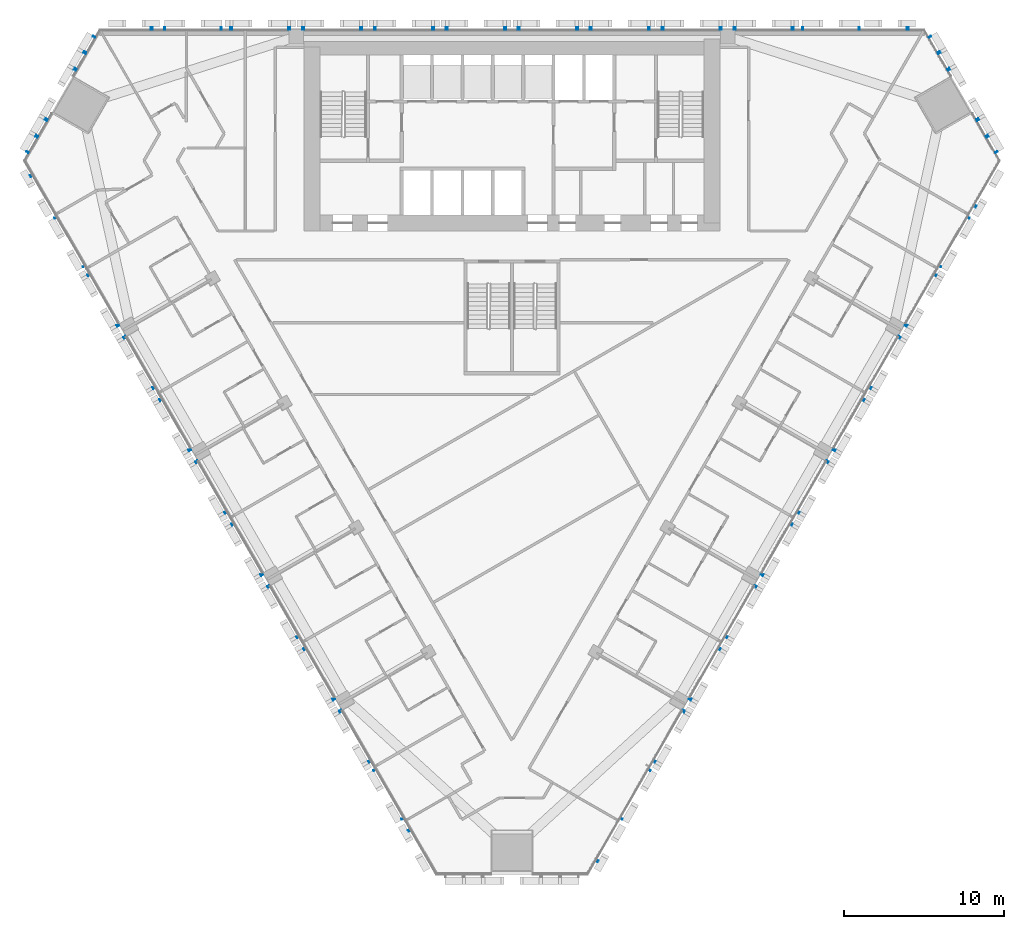
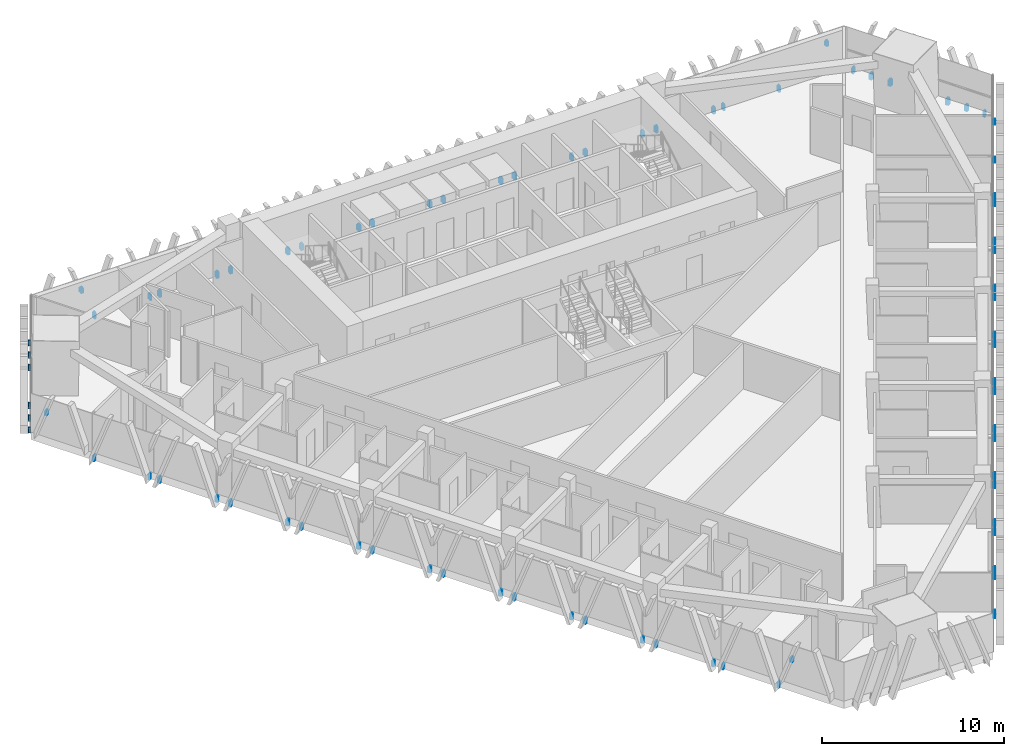
# One storey, part 14 of 17: 5 discrete accessories.
"""IFC4 building model written with IfcOpenShell, lengths in metres."""

from ifc_helpers import new_model, si_unit, direction, frame, origin, place, context, subcontext, project, spatial, polyline, outline, extrude, source, transform, mapped, material, type_object, element, save


model = new_model("IFC4")

# Units and contexts
model_context = context("Model", 3, precision=1e-05, world=origin(), true_north=direction((0.0, 1.0)))
body_context = subcontext(model_context, "Body", "Model", "MODEL_VIEW")
ifc_project = project(units=[si_unit("LENGTHUNIT", "METRE"), si_unit("AREAUNIT", "SQUARE_METRE"), si_unit("VOLUMEUNIT", "CUBIC_METRE"), si_unit("PLANEANGLEUNIT", "RADIAN"), si_unit("MASSUNIT", "GRAM", prefix="KILO")], contexts=[model_context])

# Site, building, storey
site_placement = place(None, origin())
site = spatial("IfcSite", under=ifc_project, at=site_placement, CompositionType="ELEMENT")
building_placement = place(site_placement, origin())
building = spatial("IfcBuilding", under=site, at=building_placement, Name="Altiplano Prism Tower", CompositionType="ELEMENT")
storey_placement = place(building_placement, frame((0.0, 0.0, 52.199951171875)))
storey = spatial("IfcBuildingStorey", under=building, at=storey_placement, Name="L12", CompositionType="ELEMENT", Elevation=52.199951171875)

# Discrete accessories
ifc_material = material(Name="Stainless steel", Category="steel")
discrete_accessory_type = type_object("IfcDiscreteAccessoryType", Name="Stone fin fixing prongs", PredefinedType="USERDEFINED", material=ifc_material)
shared_shape_1 = source(origin(), body_context, "Body", "SweptSolid", [
    extrude(outline(polyline([(-1.16162109375, 2.07177734375), (-1.041748046875, 2.07177734375), (-1.041748046875, 2.37158203125), (-1.16162109375, 2.37158203125), (-1.16162109375, 2.07177734375)])), frame((0.0, 0.0, 0.0), z_axis=(0.0, -1.0, 0.0), x_axis=(1.0, 0.0, 0.0)), (0.0, 0.0, 1.0), 0.14990234375),
])
shared_shape_2 = source(origin(), body_context, "Body", "SweptSolid", [
    extrude(outline(polyline([(-1.7900390625, 0.06005859375), (-1.729248046875, 0.06005859375), (-1.729248046875, 0.43994140625), (-1.7900390625, 0.43994140625), (-1.7900390625, 0.06005859375)])), frame((0.0, 0.0, 0.0), z_axis=(0.0, -1.0, 0.0), x_axis=(1.0, 0.0, 0.0)), (0.0, 0.0, 1.0), 0.14990234375),
    extrude(outline(polyline([(1.729248046875, 0.06005859375), (1.7900390625, 0.06005859375), (1.7900390625, 0.43994140625), (1.729248046875, 0.43994140625), (1.729248046875, 0.06005859375)])), frame((0.0, 0.0, 0.0), z_axis=(0.0, -1.0, 0.0), x_axis=(1.0, 0.0, 0.0)), (0.0, 0.0, 1.0), 0.14990234375),
])
shared_shape_3 = source(origin(), body_context, "Body", "SweptSolid", [
    extrude(outline(polyline([(-1.87939453125, 0.06005859375), (-1.75927734375, 0.06005859375), (-1.75927734375, 0.43994140625), (-1.87939453125, 0.43994140625), (-1.87939453125, 0.06005859375)])), frame((0.0, 0.0, 0.0), z_axis=(0.0, -1.0, 0.0), x_axis=(1.0, 0.0, 0.0)), (0.0, 0.0, 1.0), 0.14990234375),
    extrude(outline(polyline([(1.75927734375, 0.06005859375), (1.87939453125, 0.06005859375), (1.87939453125, 0.43994140625), (1.75927734375, 0.43994140625), (1.75927734375, 0.06005859375)])), frame((0.0, 0.0, 0.0), z_axis=(0.0, -1.0, 0.0), x_axis=(1.0, 0.0, 0.0)), (0.0, 0.0, 1.0), 0.14990234375),
])
discrete_accessory_1_placement = place(storey_placement, origin())
element("IfcDiscreteAccessory", 1, at=discrete_accessory_1_placement, inside=storey, type_object=discrete_accessory_type, Name="Fin fixings L12 north face", ObjectType="BRACKET", PredefinedType="USERDEFINED", context=body_context, shape_type="MappedRepresentation", body=[
    mapped(shared_shape_1, transform((108.64404296875, 105.0, -0.5), x_axis=(-1.0, 0.0, 0.0), y_axis=(0.0, -1.0, 0.0), z_axis=(0.0, 0.0, 1.0))),
    mapped(shared_shape_2, transform((104.947998046875, 105.0, -0.5), x_axis=(-1.0, 0.0, 0.0), y_axis=(0.0, -1.0, 0.0), z_axis=(0.0, 0.0, 1.0))),
    mapped(shared_shape_3, transform((100.75, 105.0, -0.5), x_axis=(-1.0, 0.0, 0.0), y_axis=(0.0, -1.0, 0.0), z_axis=(0.0, 0.0, 1.0))),
    mapped(shared_shape_3, transform((96.25, 105.0, -0.5), x_axis=(-1.0, 0.0, 0.0), y_axis=(0.0, -1.0, 0.0), z_axis=(0.0, 0.0, 1.0))),
    mapped(shared_shape_3, transform((91.75, 105.0, -0.5), x_axis=(-1.0, 0.0, 0.0), y_axis=(0.0, -1.0, 0.0), z_axis=(0.0, 0.0, 1.0))),
    mapped(shared_shape_3, transform((87.25, 105.0, -0.5), x_axis=(-1.0, 0.0, 0.0), y_axis=(0.0, -1.0, 0.0), z_axis=(0.0, 0.0, 1.0))),
    mapped(shared_shape_3, transform((82.75, 105.0, -0.5), x_axis=(-1.0, 0.0, 0.0), y_axis=(0.0, -1.0, 0.0), z_axis=(0.0, 0.0, 1.0))),
    mapped(shared_shape_3, transform((78.25, 105.0, -0.5), x_axis=(-1.0, 0.0, 0.0), y_axis=(0.0, -1.0, 0.0), z_axis=(0.0, 0.0, 1.0))),
    mapped(shared_shape_3, transform((73.75, 105.0, -0.5), x_axis=(-1.0, 0.0, 0.0), y_axis=(0.0, -1.0, 0.0), z_axis=(0.0, 0.0, 1.0))),
    mapped(shared_shape_3, transform((69.25, 105.0, -0.5), x_axis=(-1.0, 0.0, 0.0), y_axis=(0.0, -1.0, 0.0), z_axis=(0.0, 0.0, 1.0))),
    mapped(shared_shape_2, transform((65.052001953125, 105.0, -0.5), x_axis=(-1.0, 0.0, 0.0), y_axis=(0.0, -1.0, 0.0), z_axis=(0.0, 0.0, 1.0))),
    mapped(shared_shape_1, transform((61.35595703125, 105.0, -0.5), x_axis=(-1.0, 0.0, 0.0), y_axis=(0.0, -1.0, 0.0), z_axis=(0.0, 0.0, 1.0))),
])
discrete_accessory_2_placement = place(storey_placement, origin())
element("IfcDiscreteAccessory", 2, at=discrete_accessory_2_placement, inside=storey, type_object=discrete_accessory_type, Name="Fin fixings L12 south-west face", ObjectType="BRACKET", PredefinedType="USERDEFINED", context=body_context, shape_type="MappedRepresentation", body=[
    mapped(shared_shape_1, transform((55.551513671875, 94.946044921875, -0.5), x_axis=(0.499999990992, -0.866025408985, 0.0), y_axis=(0.866025408985, 0.499999990992, 0.0), z_axis=(0.0, 0.0, 1.0))),
    mapped(shared_shape_2, transform((57.3994140625, 91.745361328125, -0.5), x_axis=(0.499999990992, -0.866025408985, 0.0), y_axis=(0.866025408985, 0.499999990992, 0.0), z_axis=(0.0, 0.0, 1.0))),
    mapped(shared_shape_3, transform((59.498291015625, 88.109619140625, -0.5), x_axis=(0.499999990992, -0.866025408985, 0.0), y_axis=(0.866025408985, 0.499999990992, 0.0), z_axis=(0.0, 0.0, 1.0))),
    mapped(shared_shape_3, transform((61.748291015625, 84.212646484375, -0.5), x_axis=(0.499999990992, -0.866025408985, 0.0), y_axis=(0.866025408985, 0.499999990992, 0.0), z_axis=(0.0, 0.0, 1.0))),
    mapped(shared_shape_3, transform((63.998291015625, 80.3154296875, -0.5), x_axis=(0.499999990992, -0.866025408985, 0.0), y_axis=(0.866025408985, 0.499999990992, 0.0), z_axis=(0.0, 0.0, 1.0))),
    mapped(shared_shape_3, transform((66.248291015625, 76.41845703125, -0.5), x_axis=(0.499999990992, -0.866025408985, 0.0), y_axis=(0.866025408985, 0.499999990992, 0.0), z_axis=(0.0, 0.0, 1.0))),
    mapped(shared_shape_3, transform((68.498291015625, 72.521240234375, -0.5), x_axis=(0.499999990992, -0.866025408985, 0.0), y_axis=(0.866025408985, 0.499999990992, 0.0), z_axis=(0.0, 0.0, 1.0))),
    mapped(shared_shape_3, transform((70.748291015625, 68.624267578125, -0.5), x_axis=(0.499999990992, -0.866025408985, 0.0), y_axis=(0.866025408985, 0.499999990992, 0.0), z_axis=(0.0, 0.0, 1.0))),
    mapped(shared_shape_3, transform((72.998291015625, 64.72705078125, -0.5), x_axis=(0.499999990992, -0.866025408985, 0.0), y_axis=(0.866025408985, 0.499999990992, 0.0), z_axis=(0.0, 0.0, 1.0))),
    mapped(shared_shape_3, transform((75.248291015625, 60.829833984375, -0.5), x_axis=(0.499999990992, -0.866025408985, 0.0), y_axis=(0.866025408985, 0.499999990992, 0.0), z_axis=(0.0, 0.0, 1.0))),
    mapped(shared_shape_2, transform((77.347412109375, 57.1943359375, -0.5), x_axis=(0.499999990992, -0.866025408985, 0.0), y_axis=(0.866025408985, 0.499999990992, 0.0), z_axis=(0.0, 0.0, 1.0))),
    mapped(shared_shape_1, transform((79.1953125, 53.993408203125, -0.5), x_axis=(0.499999990992, -0.866025408985, 0.0), y_axis=(0.866025408985, 0.499999990992, 0.0), z_axis=(0.0, 0.0, 1.0))),
])
discrete_accessory_3_placement = place(storey_placement, origin())
element("IfcDiscreteAccessory", 3, at=discrete_accessory_3_placement, inside=storey, type_object=discrete_accessory_type, Name="Fin fixings L12 south-east face", ObjectType="BRACKET", PredefinedType="USERDEFINED", context=body_context, shape_type="MappedRepresentation", body=[
    mapped(shared_shape_1, transform((90.8046875, 53.993408203125, -0.5), x_axis=(0.499999990992, 0.866025408985, 0.0), y_axis=(-0.866025408985, 0.499999990992, 0.0), z_axis=(0.0, 0.0, 1.0))),
    mapped(shared_shape_2, transform((92.652587890625, 57.1943359375, -0.5), x_axis=(0.499999990992, 0.866025408985, 0.0), y_axis=(-0.866025408985, 0.499999990992, 0.0), z_axis=(0.0, 0.0, 1.0))),
    mapped(shared_shape_3, transform((94.751708984375, 60.829833984375, -0.5), x_axis=(0.499999990992, 0.866025408985, 0.0), y_axis=(-0.866025408985, 0.499999990992, 0.0), z_axis=(0.0, 0.0, 1.0))),
    mapped(shared_shape_3, transform((97.001708984375, 64.72705078125, -0.5), x_axis=(0.499999990992, 0.866025408985, 0.0), y_axis=(-0.866025408985, 0.499999990992, 0.0), z_axis=(0.0, 0.0, 1.0))),
    mapped(shared_shape_3, transform((99.251708984375, 68.624267578125, -0.5), x_axis=(0.499999990992, 0.866025408985, 0.0), y_axis=(-0.866025408985, 0.499999990992, 0.0), z_axis=(0.0, 0.0, 1.0))),
    mapped(shared_shape_3, transform((101.501708984375, 72.521240234375, -0.5), x_axis=(0.499999990992, 0.866025408985, 0.0), y_axis=(-0.866025408985, 0.499999990992, 0.0), z_axis=(0.0, 0.0, 1.0))),
    mapped(shared_shape_3, transform((103.751708984375, 76.41845703125, -0.5), x_axis=(0.499999990992, 0.866025408985, 0.0), y_axis=(-0.866025408985, 0.499999990992, 0.0), z_axis=(0.0, 0.0, 1.0))),
    mapped(shared_shape_3, transform((106.001708984375, 80.3154296875, -0.5), x_axis=(0.499999990992, 0.866025408985, 0.0), y_axis=(-0.866025408985, 0.499999990992, 0.0), z_axis=(0.0, 0.0, 1.0))),
    mapped(shared_shape_3, transform((108.251708984375, 84.212646484375, -0.5), x_axis=(0.499999990992, 0.866025408985, 0.0), y_axis=(-0.866025408985, 0.499999990992, 0.0), z_axis=(0.0, 0.0, 1.0))),
    mapped(shared_shape_3, transform((110.501708984375, 88.109619140625, -0.5), x_axis=(0.499999990992, 0.866025408985, 0.0), y_axis=(-0.866025408985, 0.499999990992, 0.0), z_axis=(0.0, 0.0, 1.0))),
    mapped(shared_shape_2, transform((112.6005859375, 91.745361328125, -0.5), x_axis=(0.499999990992, 0.866025408985, 0.0), y_axis=(-0.866025408985, 0.499999990992, 0.0), z_axis=(0.0, 0.0, 1.0))),
    mapped(shared_shape_1, transform((114.448486328125, 94.946044921875, -0.5), x_axis=(0.499999990992, 0.866025408985, 0.0), y_axis=(-0.866025408985, 0.499999990992, 0.0), z_axis=(0.0, 0.0, 1.0))),
])
shared_shape_4 = source(origin(), body_context, "Body", "SweptSolid", [
    extrude(outline(polyline([(-4.18994140625, 0.06005859375), (-4.129150390625, 0.06005859375), (-4.129150390625, 0.43994140625), (-4.18994140625, 0.43994140625), (-4.18994140625, 0.06005859375)])), frame((0.0, 0.0, 0.0), z_axis=(0.0, -1.0, 0.0), x_axis=(1.0, 0.0, 0.0)), (0.0, 0.0, 1.0), 0.14990234375),
    extrude(outline(polyline([(-3.079345703125, 0.06005859375), (-2.959228515625, 0.06005859375), (-2.959228515625, 0.43994140625), (-3.079345703125, 0.43994140625), (-3.079345703125, 0.06005859375)])), frame((0.0, 0.0, 0.0), z_axis=(0.0, -1.0, 0.0), x_axis=(1.0, 0.0, 0.0)), (0.0, 0.0, 1.0), 0.14990234375),
    extrude(outline(polyline([(-1.87939453125, 0.06005859375), (-1.75927734375, 0.06005859375), (-1.75927734375, 0.43994140625), (-1.87939453125, 0.43994140625), (-1.87939453125, 0.06005859375)])), frame((0.0, 0.0, 0.0), z_axis=(0.0, -1.0, 0.0), x_axis=(1.0, 0.0, 0.0)), (0.0, 0.0, 1.0), 0.14990234375),
    extrude(outline(polyline([(1.75927734375, 0.06005859375), (1.87939453125, 0.06005859375), (1.87939453125, 0.43994140625), (1.75927734375, 0.43994140625), (1.75927734375, 0.06005859375)])), frame((0.0, 0.0, 0.0), z_axis=(0.0, -1.0, 0.0), x_axis=(1.0, 0.0, 0.0)), (0.0, 0.0, 1.0), 0.14990234375),
    extrude(outline(polyline([(2.959228515625, 0.06005859375), (3.079345703125, 0.06005859375), (3.079345703125, 0.43994140625), (2.959228515625, 0.43994140625), (2.959228515625, 0.06005859375)])), frame((0.0, 0.0, 0.0), z_axis=(0.0, -1.0, 0.0), x_axis=(1.0, 0.0, 0.0)), (0.0, 0.0, 1.0), 0.14990234375),
    extrude(outline(polyline([(4.129150390625, 0.06005859375), (4.18994140625, 0.06005859375), (4.18994140625, 0.43994140625), (4.129150390625, 0.43994140625), (4.129150390625, 0.06005859375)])), frame((0.0, 0.0, 0.0), z_axis=(0.0, -1.0, 0.0), x_axis=(1.0, 0.0, 0.0)), (0.0, 0.0, 1.0), 0.14990234375),
])
discrete_accessory_4_placement = place(storey_placement, origin())
element("IfcDiscreteAccessory", 4, at=discrete_accessory_4_placement, inside=storey, type_object=discrete_accessory_type, Name="Fin fixings L12 north-west chamfer", ObjectType="BRACKET", PredefinedType="USERDEFINED", context=body_context, shape_type="MappedRepresentation", body=[
    mapped(shared_shape_4, transform((56.8427734375, 100.903076171875, -0.5), x_axis=(-0.500000055013, -0.866025372023, 0.0), y_axis=(0.866025372023, -0.500000055013, 0.0), z_axis=(0.0, 0.0, 1.0))),
])
discrete_accessory_5_placement = place(storey_placement, origin())
element("IfcDiscreteAccessory", 5, at=discrete_accessory_5_placement, inside=storey, type_object=discrete_accessory_type, Name="Fin fixings L12 north-east chamfer", ObjectType="BRACKET", PredefinedType="USERDEFINED", context=body_context, shape_type="MappedRepresentation", body=[
    mapped(shared_shape_4, transform((113.1572265625, 100.903076171875, -0.5), x_axis=(-0.500000055013, 0.866025372023, 0.0), y_axis=(-0.866025372023, -0.500000055013, 0.0), z_axis=(0.0, 0.0, 1.0))),
])

save(model, "model.ifc")
